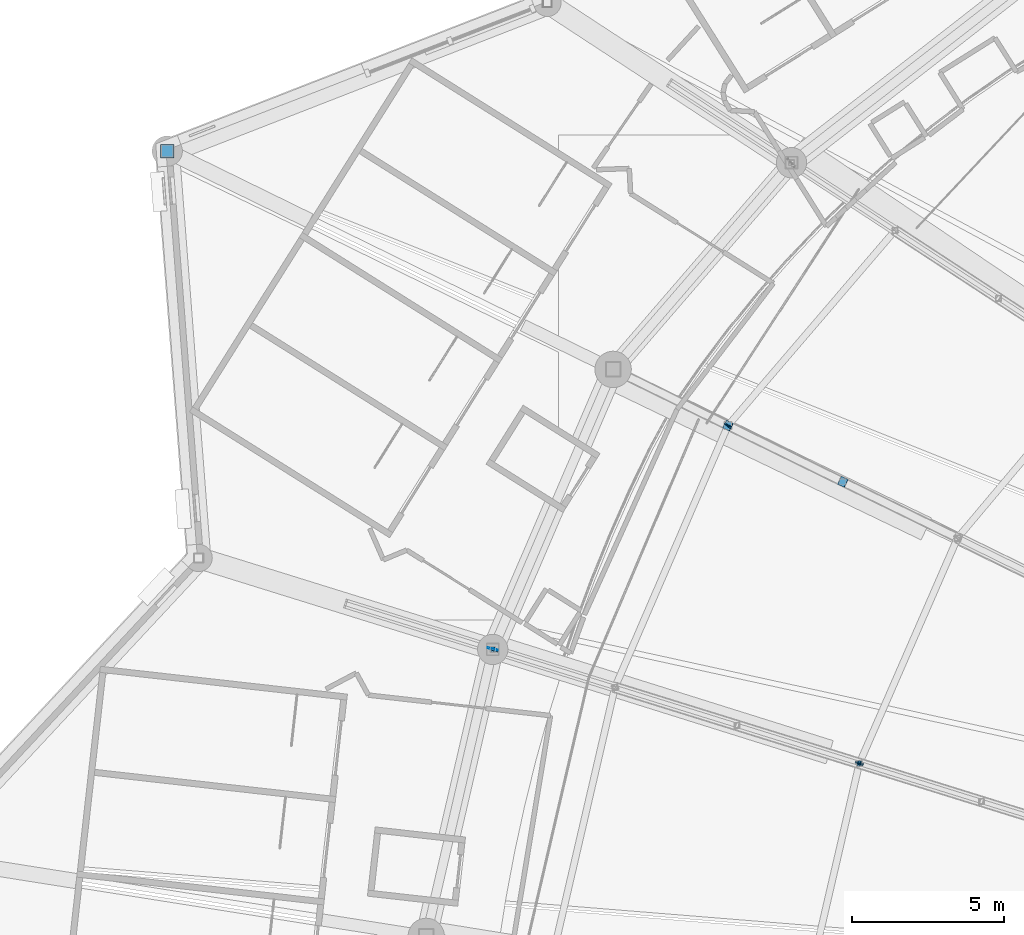
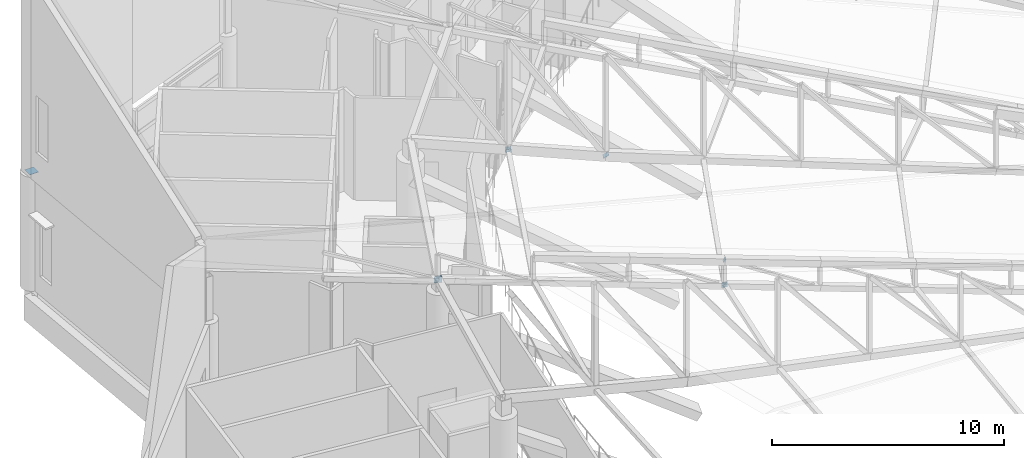
# One storey, part 314 of 344: 12 discrete accessories.
"""IFC4 building model written with IfcOpenShell, lengths in metres."""

from ifc_helpers import new_model, si_unit, direction, frame, origin, origin_2d, place, context, subcontext, project, spatial, rectangle, extrude, material, material_profile, profile_set, type_object, element, save


model = new_model("IFC4")

# Units and contexts
model_context = context("Model", 3, precision=1e-05, world=origin(), true_north=direction((0.0, 1.0)))
body_context = subcontext(model_context, "Body", "Model", "MODEL_VIEW")
ifc_project = project(units=[si_unit("LENGTHUNIT", "METRE"), si_unit("AREAUNIT", "SQUARE_METRE"), si_unit("VOLUMEUNIT", "CUBIC_METRE"), si_unit("PLANEANGLEUNIT", "RADIAN"), si_unit("MASSUNIT", "GRAM", prefix="KILO")], contexts=[model_context])

# Site, building, storey
site_placement = place(None, origin())
site = spatial("IfcSite", under=ifc_project, at=site_placement, CompositionType="ELEMENT")
building_placement = place(site_placement, origin())
building = spatial("IfcBuilding", under=site, at=building_placement, Name="Meseta Stadium", CompositionType="ELEMENT")
storey_placement = place(building_placement, frame((0.0, 0.0, 24.0)))
storey = spatial("IfcBuildingStorey", under=building, at=storey_placement, Name="L04", CompositionType="ELEMENT", Elevation=24.0)

# Discrete accessories
ifc_material_1 = material(Name="Steel S355", Category="steel")
ifc_material_profile_1 = material_profile(ifc_material_1, rectangle(XDim=0.179931640625, YDim=0.179931640625, at=origin_2d()), Name="PL 180x180")
ifc_profile_set_1 = profile_set([ifc_material_profile_1], Name="Steel S355")
discrete_accessory_type_1 = type_object("IfcDiscreteAccessoryType", Name="End plate 180x180x20", PredefinedType="ANCHORPLATE", material=ifc_profile_set_1)
for number, where, z_axis, x_axis, name in (
    (1, (-70.073974609375, 59.272216796875, 5.556640625), (-0.856465372407, 0.269174831328, 0.440467905809), (-0.29982659674, -0.953993716901, 0.0), "End plate of ROOF TRUSS RT-27 diagonal"),
    (2, (-70.056640625, 59.266845703125, 4.248046875), (-0.864184479619, 0.267775472558, 0.426006433615), (-0.295976029358, -0.955195367475, 0.0), "End plate of ROOF TRUSS RT-27 diagonal"),
    (3, (-82.151611328125, 63.0283203125, 6.48779296875), (-0.875902038268, 0.267636733915, 0.401455100873), (-0.292218535599, -0.956351571051, 0.0), "End plate of ROOF TRUSS RT-27 diagonal"),
):
    element("IfcDiscreteAccessory", number, at=place(storey_placement, frame(where, z_axis=z_axis, x_axis=x_axis)), inside=storey, type_object=discrete_accessory_type_1, Name=name, PredefinedType="ANCHORPLATE", context=body_context, shape_type="SweptSolid", body=[
        extrude(rectangle(XDim=0.179931640625, YDim=0.179931640625, at=origin_2d()), origin(), (0.0, 0.0, 1.0), 0.02001953125),
    ])
ifc_material_2 = material(Name="Steel S355", Category="steel")
ifc_material_profile_2 = material_profile(ifc_material_2, rectangle(XDim=0.260009765625, YDim=0.260009765625, at=origin_2d()), Name="PL 260x260")
ifc_profile_set_2 = profile_set([ifc_material_profile_2], Name="Steel S355")
discrete_accessory_type_2 = type_object("IfcDiscreteAccessoryType", Name="End plate 260x260x20", PredefinedType="ANCHORPLATE", material=ifc_profile_set_2)
discrete_accessory_1_placement = place(storey_placement, frame((-74.41015625, 70.41748046875, 6.148681640625), z_axis=(-0.649342091356, -0.75960772951, 0.036755212718), x_axis=(0.760121344352, -0.649781149204, 0.0)))
element("IfcDiscreteAccessory", 4, at=discrete_accessory_1_placement, inside=storey, type_object=discrete_accessory_type_2, Name="End plate of ROOF TRUSS STRUT RT-25/26", PredefinedType="ANCHORPLATE", context=body_context, shape_type="SweptSolid", body=[
    extrude(rectangle(XDim=0.260009765625, YDim=0.260009765625, at=origin_2d()), origin(), (0.0, 0.0, 1.0), 0.02001953125),
])
discrete_accessory_2_placement = place(storey_placement, frame((-70.073974609375, 59.272216796875, 4.256591796875), z_axis=(-0.393892771134, -0.910877033247, -0.123091490979), x_axis=(0.91785703596, -0.396911150685, 0.0)))
element("IfcDiscreteAccessory", 5, at=discrete_accessory_2_placement, inside=storey, type_object=discrete_accessory_type_2, Name="End plate of ROOF TRUSS STRUT RT-26/27", PredefinedType="ANCHORPLATE", context=body_context, shape_type="SweptSolid", body=[
    extrude(rectangle(XDim=0.260009765625, YDim=0.260009765625, at=origin_2d()), origin(), (0.0, 0.0, 1.0), 0.019775390625),
])
discrete_accessory_3_placement = place(storey_placement, frame((-74.40234375, 70.435791015625, 6.1494140625), z_axis=(-0.392173354426, -0.919156299436, -0.036766251977), x_axis=(0.919778168081, -0.392438685048, 0.0)))
element("IfcDiscreteAccessory", 6, at=discrete_accessory_3_placement, inside=storey, type_object=discrete_accessory_type_2, Name="End plate of ROOF TRUSS STRUT RT-26/27", PredefinedType="ANCHORPLATE", context=body_context, shape_type="SweptSolid", body=[
    extrude(rectangle(XDim=0.260009765625, YDim=0.260009765625, at=origin_2d()), origin(), (0.0, 0.0, 1.0), 0.02001953125),
])
discrete_accessory_4_placement = place(storey_placement, frame((-70.0693359375, 59.291748046875, 4.25439453125), z_axis=(-0.229700566368, -0.967160279446, 0.108805531438), x_axis=(0.97293655072, -0.231072430796, 0.0)))
element("IfcDiscreteAccessory", 7, at=discrete_accessory_4_placement, inside=storey, type_object=discrete_accessory_type_2, Name="End plate of ROOF TRUSS STRUT RT-27/28", PredefinedType="ANCHORPLATE", context=body_context, shape_type="SweptSolid", body=[
    extrude(rectangle(XDim=0.260009765625, YDim=0.260009765625, at=origin_2d()), origin(), (0.0, 0.0, 1.0), 0.020263671875),
])
ifc_material_3 = material(Name="Steel S355", Category="steel")
ifc_material_profile_3 = material_profile(ifc_material_3, rectangle(XDim=0.2900390625, YDim=0.2900390625, at=origin_2d()), Name="PL 290x290")
ifc_profile_set_3 = profile_set([ifc_material_profile_3], Name="Steel S355")
discrete_accessory_type_3 = type_object("IfcDiscreteAccessoryType", Name="End plate 290x290x20", PredefinedType="ANCHORPLATE", material=ifc_profile_set_3)
discrete_accessory_5_placement = place(storey_placement, frame((-70.6123046875, 68.557861328125, 5.632568359375), z_axis=(-0.505826026968, 0.246744403399, 0.826593751387), x_axis=(-0.438423632021, -0.898768445644, 0.0)))
element("IfcDiscreteAccessory", 8, at=discrete_accessory_5_placement, inside=storey, type_object=discrete_accessory_type_3, Name="End plate of ROOF TRUSS RT-26 diagonal", PredefinedType="ANCHORPLATE", context=body_context, shape_type="SweptSolid", body=[
    extrude(rectangle(XDim=0.2900390625, YDim=0.2900390625, at=origin_2d()), origin(), (0.0, 0.0, 1.0), 0.019775390625),
])
discrete_accessory_6_placement = place(storey_placement, frame((-74.400390625, 70.41259765625, 6.131591796875), z_axis=(-0.481543412343, 0.240771706172, 0.8427009716), x_axis=(-0.4472135955, -0.894427191, 0.0)))
element("IfcDiscreteAccessory", 9, at=discrete_accessory_6_placement, inside=storey, type_object=discrete_accessory_type_3, Name="End plate of ROOF TRUSS RT-26 diagonal", PredefinedType="ANCHORPLATE", context=body_context, shape_type="SweptSolid", body=[
    extrude(rectangle(XDim=0.2900390625, YDim=0.2900390625, at=origin_2d()), origin(), (0.0, 0.0, 1.0), 0.020263671875),
])
ifc_material_4 = material(Name="Steel S355", Category="steel")
ifc_material_profile_4 = material_profile(ifc_material_4, rectangle(XDim=0.340087890625, YDim=0.340087890625, at=origin_2d()), Name="PL 340x340")
ifc_profile_set_4 = profile_set([ifc_material_profile_4], Name="Steel S355")
discrete_accessory_type_4 = type_object("IfcDiscreteAccessoryType", Name="End plate 340x340x20", PredefinedType="ANCHORPLATE", material=ifc_profile_set_4)
for number, where, z_axis, x_axis, name in (
    (10, (-82.169189453125, 63.03369140625, 6.495849609375), (-0.392173354426, -0.919156299436, -0.036766251977), (0.919778168081, -0.392438685048, 0.0), "End plate of ROOF PIVOT STRUT RT-26/27"),
    (11, (-82.16455078125, 63.05322265625, 6.4951171875), (-0.230918786519, -0.972289627449, 0.036460861029), (0.97293655072, -0.231072430796, 0.0), "End plate of ROOF PIVOT STRUT RT-27/28"),
):
    element("IfcDiscreteAccessory", number, at=place(storey_placement, frame(where, z_axis=z_axis, x_axis=x_axis)), inside=storey, type_object=discrete_accessory_type_4, Name=name, PredefinedType="ANCHORPLATE", context=body_context, shape_type="SweptSolid", body=[
        extrude(rectangle(XDim=0.340087890625, YDim=0.340087890625, at=origin_2d()), origin(), (0.0, 0.0, 1.0), 0.02001953125),
    ])
ifc_material_5 = material(Name="Steel S355", Category="steel")
ifc_material_profile_5 = material_profile(ifc_material_5, rectangle(XDim=0.43994140625, YDim=0.43994140625, at=origin_2d()), Name="PL 440x440")
ifc_profile_set_5 = profile_set([ifc_material_profile_5], Name="Steel S355")
discrete_accessory_type_5 = type_object("IfcDiscreteAccessoryType", Name="End plate 440x440x20", PredefinedType="ANCHORPLATE", material=ifc_profile_set_5)
discrete_accessory_7_placement = place(storey_placement, frame((-92.908447265625, 79.474609375, 5.97998046875), z_axis=(0.0, 0.0, 1.0), x_axis=(1.0, 0.0, 0.0)))
element("IfcDiscreteAccessory", 12, at=discrete_accessory_7_placement, inside=storey, type_object=discrete_accessory_type_5, Name="End plate of ROOF RIM POST RT-26", PredefinedType="ANCHORPLATE", context=body_context, shape_type="SweptSolid", body=[
    extrude(rectangle(XDim=0.43994140625, YDim=0.43994140625, at=origin_2d()), origin(), (0.0, 0.0, 1.0), 0.02001953125),
])

save(model, "model.ifc")
